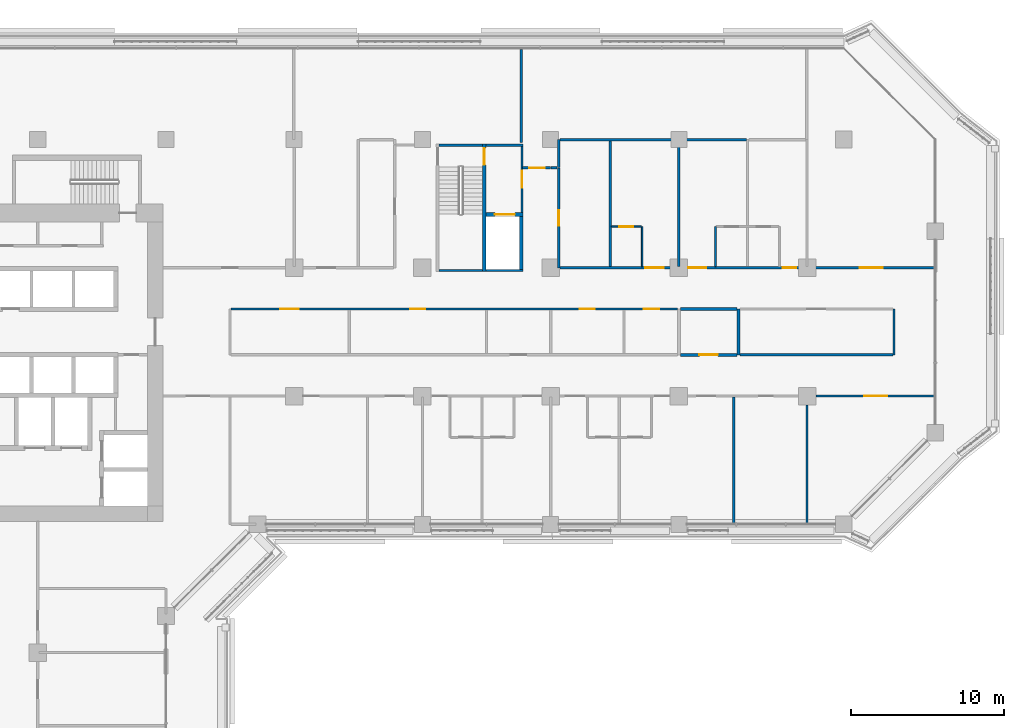
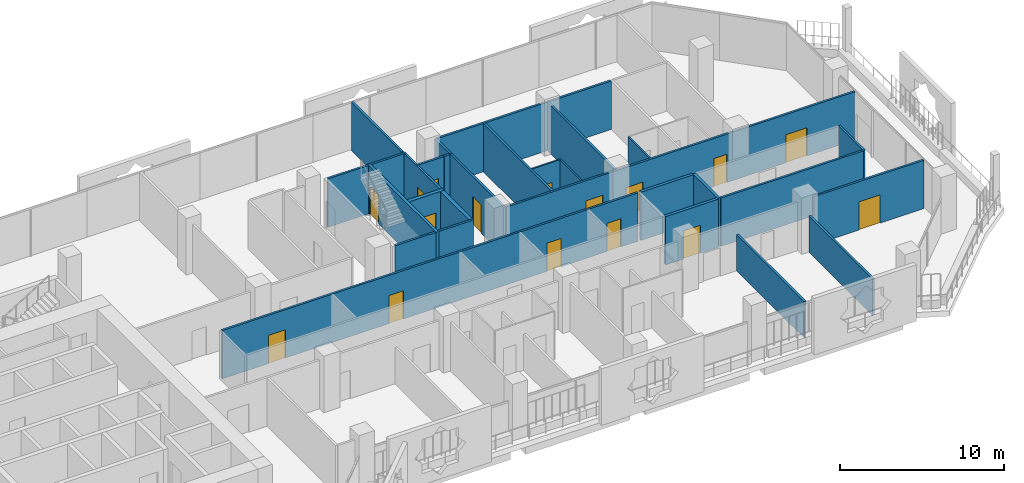
# One storey, part 16 of 25: 29 walls, 16 doors, 16 openings.
"""IFC4 building model written with IfcOpenShell, lengths in metres."""

from ifc_helpers import new_model, si_unit, direction, frame, frame_2d, origin, place, context, subcontext, project, spatial, rectangle, extrude, material, layer, layer_set, type_object, element, fill, save


model = new_model("IFC4")

# Units and contexts
model_context = context("Model", 3, precision=1e-05, world=origin(), true_north=direction((0.0, 1.0)))
body_context = subcontext(model_context, "Body", "Model", "MODEL_VIEW")
ifc_project = project(units=[si_unit("LENGTHUNIT", "METRE"), si_unit("AREAUNIT", "SQUARE_METRE"), si_unit("VOLUMEUNIT", "CUBIC_METRE"), si_unit("PLANEANGLEUNIT", "RADIAN"), si_unit("MASSUNIT", "GRAM", prefix="KILO")], contexts=[model_context])

# Site, building, storey
site_placement = place(None, origin())
site = spatial("IfcSite", under=ifc_project, at=site_placement, CompositionType="ELEMENT")
building_placement = place(site_placement, origin())
building = spatial("IfcBuilding", under=site, at=building_placement, Name="Kawkab Arch Medical Tower", CompositionType="ELEMENT")
storey_placement = place(building_placement, frame((0.0, 0.0, 145.0)))
storey = spatial("IfcBuildingStorey", under=building, at=storey_placement, Name="L33", CompositionType="ELEMENT", Elevation=145.0)

# Wall, opening, door
ifc_material_1 = material(Name="Gypsum board on steel studs", Category="steel")
ifc_layer_1 = layer(ifc_material_1, 0.14990234375)
ifc_layer_set_1 = layer_set([ifc_layer_1], Name="Gypsum board on steel studs")
wall_type_1 = type_object("IfcWallType", Name="Core room partition 150", PredefinedType="PARTITIONING", material=ifc_layer_set_1)
wall_1_placement = place(storey_placement, frame((48.52490234375, -4.77490234375, 0.0), z_axis=(0.0, 0.0, 1.0), x_axis=(0.0, 1.0, 0.0)))
wall_1 = element("IfcWall", 1, at=wall_1_placement, inside=storey, type_object=wall_type_1, Name="L33 core room partition", PredefinedType="PARTITIONING", context=body_context, shape_type="SweptSolid", body=[
    extrude(rectangle(XDim=4.324951171875, YDim=0.14990234375, at=frame_2d((2.16259765625, 0.0))), origin(), (0.0, 0.0, 1.0), 3.60009765625),
])
opening_1_placement = place(wall_1_placement, frame((1.625, 0.0, 0.0)))
opening_1 = element("IfcOpeningElement", 2, at=opening_1_placement, cuts=wall_1, Name="Opening FD", PredefinedType="OPENING", context=body_context, shape_type="SweptSolid", body=[
    extrude(rectangle(XDim=1.10009765625, YDim=2.10009765625, at=frame_2d((0.550048828125, 1.050048828125))), frame((0.0, 0.0849609375, 0.0), z_axis=(0.0, -1.0, 0.0), x_axis=(1.0, 0.0, 0.0)), (0.0, 0.0, 1.0), 0.169921875),
])
ifc_material_2 = material(Name="Hollow metal fire door leaf")
door_type_1 = type_object("IfcDoorType", Name="Firefighting lobby door 1100", OperationType="SINGLE_SWING_LEFT", PredefinedType="DOOR", material=ifc_material_2)
door_1_placement = place(opening_1_placement, origin())
door_1 = element("IfcDoor", 3, at=door_1_placement, inside=storey, type_object=door_type_1, Name="L33 Service lift lobby door SV1", OperationType="SINGLE_SWING_LEFT", OverallHeight=2.10009765625, OverallWidth=1.10009765625, PredefinedType="DOOR", context=body_context, shape_type="SweptSolid", body=[
    extrude(rectangle(XDim=1.10009765625, YDim=2.10009765625, at=frame_2d((0.550048828125, 1.050048828125))), frame((0.0, 0.02490234375, 0.0), z_axis=(0.0, -1.0, 0.0), x_axis=(1.0, 0.0, 0.0)), (0.0, 0.0, 1.0), 0.050048828125),
])
fill(opening_1, door_1)

ifc_material_3 = material(Name="Concrete C60/75", Category="concrete")
ifc_layer_2 = layer(ifc_material_3, 0.25)
ifc_layer_set_2 = layer_set([ifc_layer_2], Name="Concrete C60/75")
wall_type_2 = type_object("IfcWallType", Name="Core shear wall 250 C60/75", PredefinedType="SHEAR", material=ifc_layer_set_2)
wall_2_placement = place(storey_placement, frame((46.14990234375, -4.89990234375, 0.0), z_axis=(0.0, 0.0, 1.0), x_axis=(1.0, 0.0, 0.0)))
wall_2 = element("IfcWall", 4, at=wall_2_placement, inside=storey, type_object=wall_type_2, Name="L33 core shear wall", PredefinedType="SHEAR", context=body_context, shape_type="SweptSolid", body=[
    extrude(rectangle(XDim=2.4501953125, YDim=0.25, at=frame_2d((1.22509765625, 0.0))), origin(), (0.0, 0.0, 1.0), 3.60009765625),
])
opening_2_placement = place(wall_2_placement, frame((0.60009765625, 0.0, 0.0)))
opening_2 = element("IfcOpeningElement", 5, at=opening_2_placement, cuts=wall_2, Name="Opening LD2", PredefinedType="OPENING", context=body_context, shape_type="SweptSolid", body=[
    extrude(rectangle(XDim=1.300048828125, YDim=2.10009765625, at=frame_2d((0.64990234375, 1.050048828125))), frame((0.0, 0.135009765625, 0.0), z_axis=(0.0, -1.0, 0.0), x_axis=(1.0, 0.0, 0.0)), (0.0, 0.0, 1.0), 0.27001953125),
])
ifc_material_4 = material(Name="Stainless steel lift door leaf", Category="steel")
door_type_2 = type_object("IfcDoorType", Name="Lift landing door 1300", OperationType="DOUBLE_DOOR_SLIDING", PredefinedType="DOOR", material=ifc_material_4)
door_2_placement = place(opening_2_placement, origin())
door_2 = element("IfcDoor", 6, at=door_2_placement, inside=storey, type_object=door_type_2, Name="L33 Lift landing door SV1", OperationType="DOUBLE_DOOR_SLIDING", OverallHeight=2.10009765625, OverallWidth=1.300048828125, PredefinedType="DOOR", context=body_context, shape_type="SweptSolid", body=[
    extrude(rectangle(XDim=1.300048828125, YDim=2.10009765625, at=frame_2d((0.64990234375, 1.050048828125))), frame((0.0, 0.02490234375, 0.0), z_axis=(0.0, -1.0, 0.0), x_axis=(1.0, 0.0, 0.0)), (0.0, 0.0, 1.0), 0.050048828125),
])
fill(opening_2, door_2)

# Wall
wall_3_placement = place(storey_placement, frame((48.47509765625, -8.5, 0.0), z_axis=(0.0, 0.0, 1.0), x_axis=(0.0, 1.0, 0.0)))
element("IfcWall", 7, at=wall_3_placement, inside=storey, type_object=wall_type_2, Name="L33 core shear wall", PredefinedType="SHEAR", context=body_context, shape_type="SweptSolid", body=[
    extrude(rectangle(XDim=3.47509765625, YDim=0.25, at=frame_2d((1.737548828125, 0.0))), origin(), (0.0, 0.0, 1.0), 3.60009765625),
])

# Wall, opening, door
ifc_material_5 = material(Name="Gypsum board partition on steel studs", Category="steel")
ifc_layer_3 = layer(ifc_material_5, 0.10009765625)
ifc_layer_set_3 = layer_set([ifc_layer_3], Name="Gypsum board partition on steel studs")
wall_type_3 = type_object("IfcWallType", Name="Partition 100", PredefinedType="PARTITIONING", material=ifc_layer_set_3)
wall_4_placement = place(storey_placement, frame((54.375, -5.699951171875, 0.0), z_axis=(0.0, 0.0, 1.0), x_axis=(1.0, 0.0, 0.0)))
wall_4 = element("IfcWall", 8, at=wall_4_placement, inside=storey, type_object=wall_type_3, Name="Partition 100 w007", PredefinedType="PARTITIONING", context=body_context, shape_type="SweptSolid", body=[
    extrude(rectangle(XDim=1.97509765625, YDim=0.10009765625, at=frame_2d((0.987548828125, 0.0))), origin(), (0.0, 0.0, 1.0), 3.60009765625),
])
opening_3_placement = place(wall_4_placement, frame((0.52490234375, 0.0, 0.0)))
opening_3 = element("IfcOpeningElement", 9, at=opening_3_placement, cuts=wall_4, Name="Opening W28-005", PredefinedType="OPENING", context=body_context, shape_type="SweptSolid", body=[
    extrude(rectangle(XDim=0.89990234375, YDim=2.10009765625, at=frame_2d((0.449951171875, 1.050048828125))), frame((0.0, 0.06005859375, 0.0), z_axis=(0.0, -1.0, 0.0), x_axis=(1.0, 0.0, 0.0)), (0.0, 0.0, 1.0), 0.1201171875),
])
ifc_material_6 = material(Name="Timber door leaf", Category="wood")
door_type_3 = type_object("IfcDoorType", Name="Single door 900x2100", OperationType="NOTDEFINED", PredefinedType="DOOR", material=ifc_material_6)
door_3_placement = place(opening_3_placement, origin())
door_3 = element("IfcDoor", 10, at=door_3_placement, inside=storey, type_object=door_type_3, Name="Door W28-005", OperationType="SINGLE_SWING_RIGHT", OverallHeight=2.10009765625, OverallWidth=0.89990234375, PredefinedType="DOOR", context=body_context, shape_type="SweptSolid", body=[
    extrude(rectangle(XDim=0.89990234375, YDim=2.10009765625, at=frame_2d((0.449951171875, 1.050048828125))), frame((0.0, 0.02490234375, 0.0), z_axis=(0.0, -1.0, 0.0), x_axis=(1.0, 0.0, 0.0)), (0.0, 0.0, 1.0), 0.050048828125),
])
fill(opening_3, door_3)

# Walls
for number, where, z_axis, x_axis, name in (
    (11, (56.39990234375, -8.324951171875, 0.0), (0.0, 0.0, 1.0), (0.0, 1.0, 0.0), "Partition 100 w015"),
    (12, (61.199951171875, -8.324951171875, 0.0), (0.0, 0.0, 1.0), (0.0, 1.0, 0.0), "Partition 100 w017"),
):
    element("IfcWall", number, at=place(storey_placement, frame(where, z_axis=z_axis, x_axis=x_axis)), inside=storey, type_object=wall_type_3, Name=name, PredefinedType="PARTITIONING", context=body_context, shape_type="SweptSolid", body=[
        extrude(rectangle(XDim=2.625, YDim=0.10009765625, at=frame_2d((1.3125, 0.0))), origin(), (0.0, 0.0, 1.0), 3.60009765625),
    ])

# Wall, opening, door
ifc_material_7 = material(Name="Gypsum board partition on steel studs, mineral wool", Category="steel")
ifc_layer_4 = layer(ifc_material_7, 0.14990234375)
ifc_layer_set_4 = layer_set([ifc_layer_4], Name="Gypsum board partition on steel studs, mineral wool")
wall_type_4 = type_object("IfcWallType", Name="Partition 150", PredefinedType="PARTITIONING", material=ifc_layer_set_4)
wall_5_placement = place(storey_placement, frame((67.77490234375, -16.800048828125, 0.0), z_axis=(0.0, 0.0, 1.0), x_axis=(1.0, 0.0, 0.0)))
wall_5 = element("IfcWall", 13, at=wall_5_placement, inside=storey, type_object=wall_type_4, Name="Partition 150 w038", PredefinedType="PARTITIONING", context=body_context, shape_type="SweptSolid", body=[
    extrude(rectangle(XDim=7.7451171875, YDim=0.14990234375, at=frame_2d((3.87255859375, 0.0))), origin(), (0.0, 0.0, 1.0), 3.60009765625),
])
opening_4_placement = place(wall_5_placement, frame((3.162109375, 0.0, 0.0)))
opening_4 = element("IfcOpeningElement", 14, at=opening_4_placement, cuts=wall_5, Name="Opening W28-003", PredefinedType="OPENING", context=body_context, shape_type="SweptSolid", body=[
    extrude(rectangle(XDim=1.5, YDim=2.10009765625, at=frame_2d((0.75, 1.050048828125))), frame((0.0, 0.0849609375, 0.0), z_axis=(0.0, -1.0, 0.0), x_axis=(1.0, 0.0, 0.0)), (0.0, 0.0, 1.0), 0.169921875),
])
ifc_material_8 = material(Name="Hollow metal door leaf")
door_type_4 = type_object("IfcDoorType", Name="Double door 1500x2100 FD30S", OperationType="NOTDEFINED", PredefinedType="DOOR", material=ifc_material_8)
door_4_placement = place(opening_4_placement, origin())
door_4 = element("IfcDoor", 15, at=door_4_placement, inside=storey, type_object=door_type_4, Name="Door W28-003", OperationType="DOUBLE_DOOR_SINGLE_SWING", OverallHeight=2.10009765625, OverallWidth=1.5, PredefinedType="DOOR", context=body_context, shape_type="SweptSolid", body=[
    extrude(rectangle(XDim=1.5, YDim=2.10009765625, at=frame_2d((0.75, 1.050048828125))), frame((0.0, 0.02490234375, 0.0), z_axis=(0.0, -1.0, 0.0), x_axis=(1.0, 0.0, 0.0)), (0.0, 0.0, 1.0), 0.050048828125),
])
fill(opening_4, door_4)

# Wall
wall_6_placement = place(storey_placement, frame((62.800048828125, -14.10009765625, 0.0), z_axis=(0.0, 0.0, 1.0), x_axis=(1.0, 0.0, 0.0)))
element("IfcWall", 16, at=wall_6_placement, inside=storey, type_object=wall_type_4, Name="Partition 150 w040", PredefinedType="PARTITIONING", context=body_context, shape_type="SweptSolid", body=[
    extrude(rectangle(XDim=10.02490234375, YDim=0.14990234375, at=frame_2d((5.012451171875, 0.0))), origin(), (0.0, 0.0, 1.0), 3.60009765625),
])

# Wall, openings, doors
wall_7_placement = place(storey_placement, frame((29.47509765625, -11.10009765625, 0.0), z_axis=(0.0, 0.0, 1.0), x_axis=(1.0, 0.0, 0.0)))
wall_7 = element("IfcWall", 17, at=wall_7_placement, inside=storey, type_object=wall_type_4, Name="Partition 150 w041", PredefinedType="PARTITIONING", context=body_context, shape_type="SweptSolid", body=[
    extrude(rectangle(XDim=29.224853515625, YDim=0.14990234375, at=frame_2d((14.6123046875, 0.0))), origin(), (0.0, 0.0, 1.0), 3.60009765625),
])
opening_5_placement = place(wall_7_placement, frame((3.22509765625, 0.0, 0.0)))
opening_5 = element("IfcOpeningElement", 18, at=opening_5_placement, cuts=wall_7, Name="Opening W28-037", PredefinedType="OPENING", context=body_context, shape_type="SweptSolid", body=[
    extrude(rectangle(XDim=1.199951171875, YDim=2.10009765625, at=frame_2d((0.60009765625, 1.050048828125))), frame((0.0, 0.0849609375, 0.0), z_axis=(0.0, -1.0, 0.0), x_axis=(1.0, 0.0, 0.0)), (0.0, 0.0, 1.0), 0.169921875),
])
opening_6_placement = place(wall_7_placement, frame((11.72509765625, 0.0, 0.0)))
opening_6 = element("IfcOpeningElement", 19, at=opening_6_placement, cuts=wall_7, Name="Opening W28-026", PredefinedType="OPENING", context=body_context, shape_type="SweptSolid", body=[
    extrude(rectangle(XDim=1.0, YDim=2.10009765625, at=frame_2d((0.5, 1.050048828125))), frame((0.0, 0.0849609375, 0.0), z_axis=(0.0, -1.0, 0.0), x_axis=(1.0, 0.0, 0.0)), (0.0, 0.0, 1.0), 0.169921875),
])
opening_7_placement = place(wall_7_placement, frame((22.824951171875, 0.0, 0.0)))
opening_7 = element("IfcOpeningElement", 20, at=opening_7_placement, cuts=wall_7, Name="Opening W28-021", PredefinedType="OPENING", context=body_context, shape_type="SweptSolid", body=[
    extrude(rectangle(XDim=1.0, YDim=2.10009765625, at=frame_2d((0.5, 1.050048828125))), frame((0.0, 0.0849609375, 0.0), z_axis=(0.0, -1.0, 0.0), x_axis=(1.0, 0.0, 0.0)), (0.0, 0.0, 1.0), 0.169921875),
])
opening_8_placement = place(wall_7_placement, frame((27.02490234375, 0.0, 0.0)))
opening_8 = element("IfcOpeningElement", 21, at=opening_8_placement, cuts=wall_7, Name="Opening W28-028", PredefinedType="OPENING", context=body_context, shape_type="SweptSolid", body=[
    extrude(rectangle(XDim=1.0, YDim=2.10009765625, at=frame_2d((0.5, 1.050048828125))), frame((0.0, 0.0849609375, 0.0), z_axis=(0.0, -1.0, 0.0), x_axis=(1.0, 0.0, 0.0)), (0.0, 0.0, 1.0), 0.169921875),
])
ifc_material_9 = material(Name="Timber door leaf", Category="wood")
door_type_5 = type_object("IfcDoorType", Name="Single door 1000x2100", OperationType="NOTDEFINED", PredefinedType="DOOR", material=ifc_material_9)
door_5_placement = place(opening_7_placement, origin())
door_5 = element("IfcDoor", 22, at=door_5_placement, inside=storey, type_object=door_type_5, Name="Door W28-021", OperationType="SINGLE_SWING_LEFT", OverallHeight=2.10009765625, OverallWidth=1.0, PredefinedType="DOOR", context=body_context, shape_type="SweptSolid", body=[
    extrude(rectangle(XDim=1.0, YDim=2.10009765625, at=frame_2d((0.5, 1.050048828125))), frame((0.0, 0.02490234375, 0.0), z_axis=(0.0, -1.0, 0.0), x_axis=(1.0, 0.0, 0.0)), (0.0, 0.0, 1.0), 0.050048828125),
])
fill(opening_7, door_5)
ifc_material_10 = material(Name="Hollow metal door leaf")
door_type_6 = type_object("IfcDoorType", Name="Single door 1000x2100 FD30S", OperationType="NOTDEFINED", PredefinedType="DOOR", material=ifc_material_10)
door_6_placement = place(opening_6_placement, origin())
door_6 = element("IfcDoor", 23, at=door_6_placement, inside=storey, type_object=door_type_6, Name="Door W28-026", OperationType="SINGLE_SWING_RIGHT", OverallHeight=2.10009765625, OverallWidth=1.0, PredefinedType="DOOR", context=body_context, shape_type="SweptSolid", body=[
    extrude(rectangle(XDim=1.0, YDim=2.10009765625, at=frame_2d((0.5, 1.050048828125))), frame((0.0, 0.02490234375, 0.0), z_axis=(0.0, -1.0, 0.0), x_axis=(1.0, 0.0, 0.0)), (0.0, 0.0, 1.0), 0.050048828125),
])
fill(opening_6, door_6)
door_7_placement = place(opening_8_placement, origin())
door_7 = element("IfcDoor", 24, at=door_7_placement, inside=storey, type_object=door_type_6, Name="Door W28-028", OperationType="SINGLE_SWING_LEFT", OverallHeight=2.10009765625, OverallWidth=1.0, PredefinedType="DOOR", context=body_context, shape_type="SweptSolid", body=[
    extrude(rectangle(XDim=1.0, YDim=2.10009765625, at=frame_2d((0.5, 1.050048828125))), frame((0.0, 0.02490234375, 0.0), z_axis=(0.0, -1.0, 0.0), x_axis=(1.0, 0.0, 0.0)), (0.0, 0.0, 1.0), 0.050048828125),
])
fill(opening_8, door_7)
ifc_material_11 = material(Name="Hollow metal door leaf")
door_type_7 = type_object("IfcDoorType", Name="Single door 1200x2100 FD30S", OperationType="NOTDEFINED", PredefinedType="DOOR", material=ifc_material_11)
door_8_placement = place(opening_5_placement, origin())
door_8 = element("IfcDoor", 25, at=door_8_placement, inside=storey, type_object=door_type_7, Name="Door W28-037", OperationType="SINGLE_SWING_RIGHT", OverallHeight=2.10009765625, OverallWidth=1.199951171875, PredefinedType="DOOR", context=body_context, shape_type="SweptSolid", body=[
    extrude(rectangle(XDim=1.199951171875, YDim=2.10009765625, at=frame_2d((0.60009765625, 1.050048828125))), frame((0.0, 0.02490234375, 0.0), z_axis=(0.0, -1.0, 0.0), x_axis=(1.0, 0.0, 0.0)), (0.0, 0.0, 1.0), 0.050048828125),
])
fill(opening_5, door_8)

wall_8_placement = place(storey_placement, frame((51.0, -8.39990234375, 0.0), z_axis=(0.0, 0.0, 1.0), x_axis=(1.0, 0.0, 0.0)))
wall_8 = element("IfcWall", 26, at=wall_8_placement, inside=storey, type_object=wall_type_4, Name="Partition 150 w044", PredefinedType="PARTITIONING", context=body_context, shape_type="SweptSolid", body=[
    extrude(rectangle(XDim=24.52001953125, YDim=0.14990234375, at=frame_2d((12.260009765625, 0.0))), origin(), (0.0, 0.0, 1.0), 3.60009765625),
])
opening_9_placement = place(wall_8_placement, frame((5.60009765625, 0.0, 0.0)))
opening_9 = element("IfcOpeningElement", 27, at=opening_9_placement, cuts=wall_8, Name="Opening W28-035", PredefinedType="OPENING", context=body_context, shape_type="SweptSolid", body=[
    extrude(rectangle(XDim=1.199951171875, YDim=2.10009765625, at=frame_2d((0.60009765625, 1.050048828125))), frame((0.0, 0.0849609375, 0.0), z_axis=(0.0, -1.0, 0.0), x_axis=(1.0, 0.0, 0.0)), (0.0, 0.0, 1.0), 0.169921875),
])
opening_10_placement = place(wall_8_placement, frame((8.39990234375, 0.0, 0.0)))
opening_10 = element("IfcOpeningElement", 28, at=opening_10_placement, cuts=wall_8, Name="Opening W28-036", PredefinedType="OPENING", context=body_context, shape_type="SweptSolid", body=[
    extrude(rectangle(XDim=1.199951171875, YDim=2.10009765625, at=frame_2d((0.60009765625, 1.050048828125))), frame((0.0, 0.0849609375, 0.0), z_axis=(0.0, -1.0, 0.0), x_axis=(1.0, 0.0, 0.0)), (0.0, 0.0, 1.0), 0.169921875),
])
opening_11_placement = place(wall_8_placement, frame((14.60009765625, 0.0, 0.0)))
opening_11 = element("IfcOpeningElement", 29, at=opening_11_placement, cuts=wall_8, Name="Opening W28-017", PredefinedType="OPENING", context=body_context, shape_type="SweptSolid", body=[
    extrude(rectangle(XDim=0.89990234375, YDim=2.10009765625, at=frame_2d((0.449951171875, 1.050048828125))), frame((0.0, 0.0849609375, 0.0), z_axis=(0.0, -1.0, 0.0), x_axis=(1.0, 0.0, 0.0)), (0.0, 0.0, 1.0), 0.169921875),
])
opening_12_placement = place(wall_8_placement, frame((19.64990234375, 0.0, 0.0)))
opening_12 = element("IfcOpeningElement", 30, at=opening_12_placement, cuts=wall_8, Name="Opening W28-002", PredefinedType="OPENING", context=body_context, shape_type="SweptSolid", body=[
    extrude(rectangle(XDim=1.5, YDim=2.10009765625, at=frame_2d((0.75, 1.050048828125))), frame((0.0, 0.0849609375, 0.0), z_axis=(0.0, -1.0, 0.0), x_axis=(1.0, 0.0, 0.0)), (0.0, 0.0, 1.0), 0.169921875),
])
door_9_placement = place(opening_12_placement, origin())
door_9 = element("IfcDoor", 31, at=door_9_placement, inside=storey, type_object=door_type_4, Name="Door W28-002", OperationType="DOUBLE_DOOR_SINGLE_SWING", OverallHeight=2.10009765625, OverallWidth=1.5, PredefinedType="DOOR", context=body_context, shape_type="SweptSolid", body=[
    extrude(rectangle(XDim=1.5, YDim=2.10009765625, at=frame_2d((0.75, 1.050048828125))), frame((0.0, 0.02490234375, 0.0), z_axis=(0.0, -1.0, 0.0), x_axis=(1.0, 0.0, 0.0)), (0.0, 0.0, 1.0), 0.050048828125),
])
fill(opening_12, door_9)
door_10_placement = place(opening_9_placement, origin())
door_10 = element("IfcDoor", 32, at=door_10_placement, inside=storey, type_object=door_type_7, Name="Door W28-035", OperationType="SINGLE_SWING_LEFT", OverallHeight=2.10009765625, OverallWidth=1.199951171875, PredefinedType="DOOR", context=body_context, shape_type="SweptSolid", body=[
    extrude(rectangle(XDim=1.199951171875, YDim=2.10009765625, at=frame_2d((0.60009765625, 1.050048828125))), frame((0.0, 0.02490234375, 0.0), z_axis=(0.0, -1.0, 0.0), x_axis=(1.0, 0.0, 0.0)), (0.0, 0.0, 1.0), 0.050048828125),
])
fill(opening_9, door_10)
door_11_placement = place(opening_10_placement, origin())
door_11 = element("IfcDoor", 33, at=door_11_placement, inside=storey, type_object=door_type_7, Name="Door W28-036", OperationType="SINGLE_SWING_LEFT", OverallHeight=2.10009765625, OverallWidth=1.199951171875, PredefinedType="DOOR", context=body_context, shape_type="SweptSolid", body=[
    extrude(rectangle(XDim=1.199951171875, YDim=2.10009765625, at=frame_2d((0.60009765625, 1.050048828125))), frame((0.0, 0.02490234375, 0.0), z_axis=(0.0, -1.0, 0.0), x_axis=(1.0, 0.0, 0.0)), (0.0, 0.0, 1.0), 0.050048828125),
])
fill(opening_10, door_11)
ifc_material_12 = material(Name="Hollow metal door leaf")
door_type_8 = type_object("IfcDoorType", Name="Single door 900x2100 FD30S", OperationType="NOTDEFINED", PredefinedType="DOOR", material=ifc_material_12)
door_12_placement = place(opening_11_placement, origin())
door_12 = element("IfcDoor", 34, at=door_12_placement, inside=storey, type_object=door_type_8, Name="Door W28-017", OperationType="SINGLE_SWING_RIGHT", OverallHeight=2.10009765625, OverallWidth=0.89990234375, PredefinedType="DOOR", context=body_context, shape_type="SweptSolid", body=[
    extrude(rectangle(XDim=0.89990234375, YDim=2.10009765625, at=frame_2d((0.449951171875, 1.050048828125))), frame((0.0, 0.02490234375, 0.0), z_axis=(0.0, -1.0, 0.0), x_axis=(1.0, 0.0, 0.0)), (0.0, 0.0, 1.0), 0.050048828125),
])
fill(opening_11, door_12)

# Wall, opening, door
wall_9_placement = place(storey_placement, frame((48.550048828125, -1.85009765625, 0.0), z_axis=(0.0, 0.0, 1.0), x_axis=(1.0, 0.0, 0.0)))
wall_9 = element("IfcWall", 35, at=wall_9_placement, inside=storey, type_object=wall_type_4, Name="Partition 150 w045", PredefinedType="PARTITIONING", context=body_context, shape_type="SweptSolid", body=[
    extrude(rectangle(XDim=1.849853515625, YDim=0.14990234375, at=frame_2d((0.9248046875, 0.0))), origin(), (0.0, 0.0, 1.0), 3.60009765625),
])
opening_13_placement = place(wall_9_placement, frame((0.449951171875, 0.0, 0.0)))
opening_13 = element("IfcOpeningElement", 36, at=opening_13_placement, cuts=wall_9, Name="Opening W28-024", PredefinedType="OPENING", context=body_context, shape_type="SweptSolid", body=[
    extrude(rectangle(XDim=1.0, YDim=2.10009765625, at=frame_2d((0.5, 1.050048828125))), frame((0.0, 0.0849609375, 0.0), z_axis=(0.0, -1.0, 0.0), x_axis=(1.0, 0.0, 0.0)), (0.0, 0.0, 1.0), 0.169921875),
])
door_13_placement = place(opening_13_placement, origin())
door_13 = element("IfcDoor", 37, at=door_13_placement, inside=storey, type_object=door_type_6, Name="Door W28-024", OperationType="SINGLE_SWING_LEFT", OverallHeight=2.10009765625, OverallWidth=1.0, PredefinedType="DOOR", context=body_context, shape_type="SweptSolid", body=[
    extrude(rectangle(XDim=1.0, YDim=2.10009765625, at=frame_2d((0.5, 1.050048828125))), frame((0.0, 0.02490234375, 0.0), z_axis=(0.0, -1.0, 0.0), x_axis=(1.0, 0.0, 0.0)), (0.0, 0.0, 1.0), 0.050048828125),
])
fill(opening_13, door_13)

# Walls
wall_10_placement = place(storey_placement, frame((50.419921875, -1.85009765625, 0.0), z_axis=(0.0, 0.0, 1.0), x_axis=(1.0, 0.0, 0.0)))
element("IfcWall", 38, at=wall_10_placement, inside=storey, type_object=wall_type_4, Name="Partition 150 w046", PredefinedType="PARTITIONING", context=body_context, shape_type="SweptSolid", body=[
    extrude(rectangle(XDim=0.41015625, YDim=0.14990234375, at=frame_2d((0.205078125, 0.0))), origin(), (0.0, 0.0, 1.0), 3.60009765625),
])
wall_11_placement = place(storey_placement, frame((51.0029296875, 0.0, 0.0), z_axis=(0.0, 0.0, 1.0), x_axis=(1.0, 0.0, 0.0)))
element("IfcWall", 39, at=wall_11_placement, inside=storey, type_object=wall_type_4, Name="Partition 150 w050", PredefinedType="PARTITIONING", context=body_context, shape_type="SweptSolid", body=[
    extrude(rectangle(XDim=12.22216796875, YDim=0.14990234375, at=frame_2d((6.111083984375, 0.0))), origin(), (0.0, 0.0, 1.0), 3.60009765625),
])
wall_12_placement = place(storey_placement, frame((48.47998046875, -0.199951171875, 0.0), z_axis=(0.0, 0.0, 1.0), x_axis=(0.0, 1.0, 0.0)))
element("IfcWall", 40, at=wall_12_placement, inside=storey, type_object=wall_type_4, Name="Partition 150 w073", PredefinedType="PARTITIONING", context=body_context, shape_type="SweptSolid", body=[
    extrude(rectangle(XDim=6.119873046875, YDim=0.14990234375, at=frame_2d((3.06005859375, 0.0))), origin(), (0.0, 0.0, 1.0), 3.60009765625),
])

# Wall, opening, door
wall_13_placement = place(storey_placement, frame((50.925048828125, -8.39990234375, 0.0), z_axis=(0.0, 0.0, 1.0), x_axis=(0.0, 1.0, 0.0)))
wall_13 = element("IfcWall", 41, at=wall_13_placement, inside=storey, type_object=wall_type_4, Name="Partition 150 w076", PredefinedType="PARTITIONING", context=body_context, shape_type="SweptSolid", body=[
    extrude(rectangle(XDim=6.5498046875, YDim=0.14990234375, at=frame_2d((3.27490234375, 0.0))), origin(), (0.0, 0.0, 1.0), 3.60009765625),
])
opening_14_placement = place(wall_13_placement, frame((2.77490234375, 0.0, 0.0)))
opening_14 = element("IfcOpeningElement", 42, at=opening_14_placement, cuts=wall_13, Name="Opening W28-025", PredefinedType="OPENING", context=body_context, shape_type="SweptSolid", body=[
    extrude(rectangle(XDim=1.0, YDim=2.10009765625, at=frame_2d((0.5, 1.050048828125))), frame((0.0, 0.0849609375, 0.0), z_axis=(0.0, -1.0, 0.0), x_axis=(1.0, 0.0, 0.0)), (0.0, 0.0, 1.0), 0.169921875),
])
door_14_placement = place(opening_14_placement, origin())
door_14 = element("IfcDoor", 43, at=door_14_placement, inside=storey, type_object=door_type_6, Name="Door W28-025", OperationType="SINGLE_SWING_LEFT", OverallHeight=2.10009765625, OverallWidth=1.0, PredefinedType="DOOR", context=body_context, shape_type="SweptSolid", body=[
    extrude(rectangle(XDim=1.0, YDim=2.10009765625, at=frame_2d((0.5, 1.050048828125))), frame((0.0, 0.02490234375, 0.0), z_axis=(0.0, -1.0, 0.0), x_axis=(1.0, 0.0, 0.0)), (0.0, 0.0, 1.0), 0.050048828125),
])
fill(opening_14, door_14)

# Walls
wall_14_placement = place(storey_placement, frame((50.925048828125, -1.830078125, 0.0), z_axis=(0.0, 0.0, 1.0), x_axis=(0.0, 1.0, 0.0)))
element("IfcWall", 44, at=wall_14_placement, inside=storey, type_object=wall_type_4, Name="Partition 150 w077", PredefinedType="PARTITIONING", context=body_context, shape_type="SweptSolid", body=[
    extrude(rectangle(XDim=1.8271484375, YDim=0.14990234375, at=frame_2d((0.91357421875, 0.0))), origin(), (0.0, 0.0, 1.0), 3.60009765625),
])
for number, where, z_axis, x_axis, name in (
    (45, (54.300048828125, -8.324951171875, 0.0), (0.0, 0.0, 1.0), (0.0, 1.0, 0.0), "Partition 150 w078"),
    (46, (58.800048828125, -8.324951171875, 0.0), (0.0, 0.0, 1.0), (0.0, 1.0, 0.0), "Partition 150 w081"),
):
    element("IfcWall", number, at=place(storey_placement, frame(where, z_axis=z_axis, x_axis=x_axis)), inside=storey, type_object=wall_type_4, Name=name, PredefinedType="PARTITIONING", context=body_context, shape_type="SweptSolid", body=[
        extrude(rectangle(XDim=8.25, YDim=0.14990234375, at=frame_2d((4.125, 0.0))), origin(), (0.0, 0.0, 1.0), 3.60009765625),
    ])
wall_15_placement = place(storey_placement, frame((62.39990234375, -25.1201171875, 0.0), z_axis=(0.0, 0.0, 1.0), x_axis=(0.0, 1.0, 0.0)))
element("IfcWall", 47, at=wall_15_placement, inside=storey, type_object=wall_type_4, Name="Partition 150 w082", PredefinedType="PARTITIONING", context=body_context, shape_type="SweptSolid", body=[
    extrude(rectangle(XDim=8.2451171875, YDim=0.14990234375, at=frame_2d((4.12255859375, 0.0))), origin(), (0.0, 0.0, 1.0), 2.699951171875),
])
wall_16_placement = place(storey_placement, frame((67.199951171875, -25.1201171875, 0.0), z_axis=(0.0, 0.0, 1.0), x_axis=(0.0, 1.0, 0.0)))
element("IfcWall", 48, at=wall_16_placement, inside=storey, type_object=wall_type_4, Name="Partition 150 w085", PredefinedType="PARTITIONING", context=body_context, shape_type="SweptSolid", body=[
    extrude(rectangle(XDim=7.7451171875, YDim=0.14990234375, at=frame_2d((3.87255859375, 0.0))), origin(), (0.0, 0.0, 1.0), 2.699951171875),
])
wall_17_placement = place(storey_placement, frame((72.89990234375, -14.10009765625, 0.0), z_axis=(0.0, 0.0, 1.0), x_axis=(0.0, 1.0, 0.0)))
element("IfcWall", 49, at=wall_17_placement, inside=storey, type_object=wall_type_4, Name="Partition 150 w087", PredefinedType="PARTITIONING", context=body_context, shape_type="SweptSolid", body=[
    extrude(rectangle(XDim=3.0, YDim=0.14990234375, at=frame_2d((1.5, 0.0))), origin(), (0.0, 0.0, 1.0), 3.60009765625),
])

# Wall, opening, door
ifc_material_13 = material(Name="Fire-rated gypsum board partition on steel studs", Category="steel")
ifc_layer_5 = layer(ifc_material_13, 0.199951171875)
ifc_layer_set_5 = layer_set([ifc_layer_5], Name="Fire-rated gypsum board partition on steel studs")
wall_type_5 = type_object("IfcWallType", Name="Protected partition 200", PredefinedType="PARTITIONING", material=ifc_layer_set_5)
wall_18_placement = place(storey_placement, frame((58.89990234375, -14.10009765625, 0.0), z_axis=(0.0, 0.0, 1.0), x_axis=(1.0, 0.0, 0.0)))
wall_18 = element("IfcWall", 50, at=wall_18_placement, inside=storey, type_object=wall_type_5, Name="Protected partition 200 w088", PredefinedType="PARTITIONING", context=body_context, shape_type="SweptSolid", body=[
    extrude(rectangle(XDim=3.7001953125, YDim=0.199951171875, at=frame_2d((1.85009765625, 0.0))), origin(), (0.0, 0.0, 1.0), 3.60009765625),
])
opening_15_placement = place(wall_18_placement, frame((1.25, 0.0, 0.0)))
opening_15 = element("IfcOpeningElement", 51, at=opening_15_placement, cuts=wall_18, Name="Opening W28-053", PredefinedType="OPENING", context=body_context, shape_type="SweptSolid", body=[
    extrude(rectangle(XDim=1.199951171875, YDim=2.10009765625, at=frame_2d((0.60009765625, 1.050048828125))), frame((0.0, 0.10986328125, 0.0), z_axis=(0.0, -1.0, 0.0), x_axis=(1.0, 0.0, 0.0)), (0.0, 0.0, 1.0), 0.219970703125),
])
ifc_material_14 = material(Name="Hollow metal door leaf")
door_type_9 = type_object("IfcDoorType", Name="Single door 1200x2100 FD60", OperationType="NOTDEFINED", PredefinedType="DOOR", material=ifc_material_14)
door_15_placement = place(opening_15_placement, origin())
door_15 = element("IfcDoor", 52, at=door_15_placement, inside=storey, type_object=door_type_9, Name="Door W28-053", OperationType="SINGLE_SWING_LEFT", OverallHeight=2.10009765625, OverallWidth=1.199951171875, PredefinedType="DOOR", context=body_context, shape_type="SweptSolid", body=[
    extrude(rectangle(XDim=1.199951171875, YDim=2.10009765625, at=frame_2d((0.60009765625, 1.050048828125))), frame((0.0, 0.02490234375, 0.0), z_axis=(0.0, -1.0, 0.0), x_axis=(1.0, 0.0, 0.0)), (0.0, 0.0, 1.0), 0.050048828125),
])
fill(opening_15, door_15)

# Walls
wall_19_placement = place(storey_placement, frame((58.89990234375, -11.10009765625, 0.0), z_axis=(0.0, 0.0, 1.0), x_axis=(1.0, 0.0, 0.0)))
element("IfcWall", 53, at=wall_19_placement, inside=storey, type_object=wall_type_5, Name="Protected partition 200 w089", PredefinedType="PARTITIONING", context=body_context, shape_type="SweptSolid", body=[
    extrude(rectangle(XDim=3.7001953125, YDim=0.199951171875, at=frame_2d((1.85009765625, 0.0))), origin(), (0.0, 0.0, 1.0), 3.60009765625),
])
wall_20_placement = place(storey_placement, frame((62.699951171875, -14.10009765625, 0.0), z_axis=(0.0, 0.0, 1.0), x_axis=(0.0, 1.0, 0.0)))
element("IfcWall", 54, at=wall_20_placement, inside=storey, type_object=wall_type_5, Name="Protected partition 200 w091", PredefinedType="PARTITIONING", context=body_context, shape_type="SweptSolid", body=[
    extrude(rectangle(XDim=3.0, YDim=0.199951171875, at=frame_2d((1.5, 0.0))), origin(), (0.0, 0.0, 1.0), 3.60009765625),
])
ifc_material_15 = material(Name="Concrete C50/60", Category="concrete")
ifc_layer_6 = layer(ifc_material_15, 0.14990234375)
ifc_layer_set_6 = layer_set([ifc_layer_6], Name="Concrete C50/60")
wall_type_6 = type_object("IfcWallType", Name="Stair enclosure wall 150 C50/60", PredefinedType="SHEAR", material=ifc_layer_set_6)
wall_21_placement = place(storey_placement, frame((43.10009765625, -0.375, 0.0), z_axis=(0.0, 0.0, 1.0), x_axis=(1.0, 0.0, 0.0)))
element("IfcWall", 55, at=wall_21_placement, inside=storey, type_object=wall_type_6, Name="L33 stair enclosure wall", PredefinedType="SHEAR", context=body_context, shape_type="SweptSolid", body=[
    extrude(rectangle(XDim=2.849853515625, YDim=0.14990234375, at=frame_2d((1.4248046875, 0.0))), origin(), (0.0, 0.0, 1.0), 3.60009765625),
])
wall_22_placement = place(storey_placement, frame((46.14990234375, -0.375, 0.0), z_axis=(0.0, 0.0, 1.0), x_axis=(1.0, 0.0, 0.0)))
element("IfcWall", 56, at=wall_22_placement, inside=storey, type_object=wall_type_6, Name="L33 stair enclosure wall", PredefinedType="SHEAR", context=body_context, shape_type="SweptSolid", body=[
    extrude(rectangle(XDim=2.4501953125, YDim=0.14990234375, at=frame_2d((1.22509765625, 0.0))), origin(), (0.0, 0.0, 1.0), 3.60009765625),
])
wall_23_placement = place(storey_placement, frame((43.10009765625, -8.574951171875, 0.0), z_axis=(0.0, 0.0, 1.0), x_axis=(1.0, 0.0, 0.0)))
element("IfcWall", 57, at=wall_23_placement, inside=storey, type_object=wall_type_6, Name="L33 stair enclosure wall", PredefinedType="SHEAR", context=body_context, shape_type="SweptSolid", body=[
    extrude(rectangle(XDim=2.849853515625, YDim=0.14990234375, at=frame_2d((1.4248046875, 0.0))), origin(), (0.0, 0.0, 1.0), 3.60009765625),
])
wall_24_placement = place(storey_placement, frame((46.14990234375, -8.574951171875, 0.0), z_axis=(0.0, 0.0, 1.0), x_axis=(1.0, 0.0, 0.0)))
element("IfcWall", 58, at=wall_24_placement, inside=storey, type_object=wall_type_6, Name="L33 stair enclosure wall", PredefinedType="SHEAR", context=body_context, shape_type="SweptSolid", body=[
    extrude(rectangle(XDim=2.4501953125, YDim=0.14990234375, at=frame_2d((1.22509765625, 0.0))), origin(), (0.0, 0.0, 1.0), 3.60009765625),
])

# Wall, opening, door
ifc_material_16 = material(Name="Concrete C50/60", Category="concrete")
ifc_layer_7 = layer(ifc_material_16, 0.199951171875)
ifc_layer_set_7 = layer_set([ifc_layer_7], Name="Concrete C50/60")
wall_type_7 = type_object("IfcWallType", Name="Stair enclosure wall 200 C50/60", PredefinedType="SHEAR", material=ifc_layer_set_7)
wall_25_placement = place(storey_placement, frame((46.050048828125, -8.64990234375, 0.0), z_axis=(0.0, 0.0, 1.0), x_axis=(0.0, 1.0, 0.0)))
wall_25 = element("IfcWall", 59, at=wall_25_placement, inside=storey, type_object=wall_type_7, Name="L33 stair enclosure wall", PredefinedType="SHEAR", context=body_context, shape_type="SweptSolid", body=[
    extrude(rectangle(XDim=8.349853515625, YDim=0.199951171875, at=frame_2d((4.1748046875, 0.0))), origin(), (0.0, 0.0, 1.0), 3.60009765625),
])
opening_16_placement = place(wall_25_placement, frame((7.0, 0.0, 0.0)))
opening_16 = element("IfcOpeningElement", 60, at=opening_16_placement, cuts=wall_25, Name="Opening SD", PredefinedType="OPENING", context=body_context, shape_type="SweptSolid", body=[
    extrude(rectangle(XDim=1.10009765625, YDim=2.10009765625, at=frame_2d((0.550048828125, 1.050048828125))), frame((0.0, 0.10986328125, 0.0), z_axis=(0.0, -1.0, 0.0), x_axis=(1.0, 0.0, 0.0)), (0.0, 0.0, 1.0), 0.219970703125),
])
ifc_material_17 = material(Name="Hollow metal fire door leaf")
door_type_10 = type_object("IfcDoorType", Name="Exit stair door 1100", OperationType="SINGLE_SWING_LEFT", PredefinedType="DOOR", material=ifc_material_17)
door_16_placement = place(opening_16_placement, origin())
door_16 = element("IfcDoor", 61, at=door_16_placement, inside=storey, type_object=door_type_10, Name="L33 Exit stair ST5 lobby door", OperationType="SINGLE_SWING_LEFT", OverallHeight=2.10009765625, OverallWidth=1.10009765625, PredefinedType="DOOR", context=body_context, shape_type="SweptSolid", body=[
    extrude(rectangle(XDim=1.10009765625, YDim=2.10009765625, at=frame_2d((0.550048828125, 1.050048828125))), frame((0.0, 0.02490234375, 0.0), z_axis=(0.0, -1.0, 0.0), x_axis=(1.0, 0.0, 0.0)), (0.0, 0.0, 1.0), 0.050048828125),
])
fill(opening_16, door_16)

save(model, "model.ifc")
